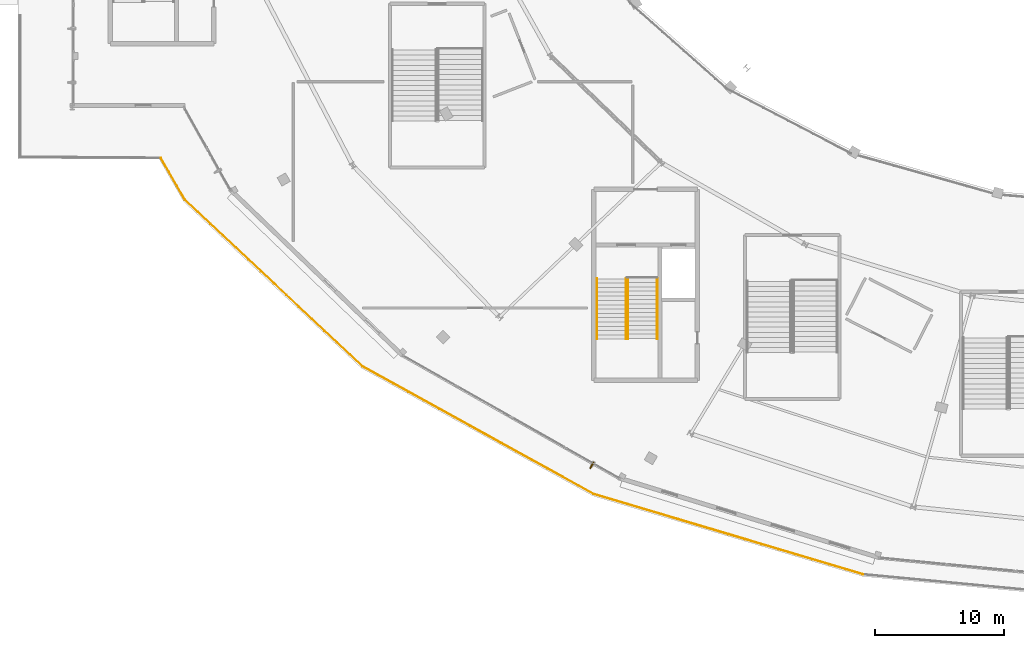
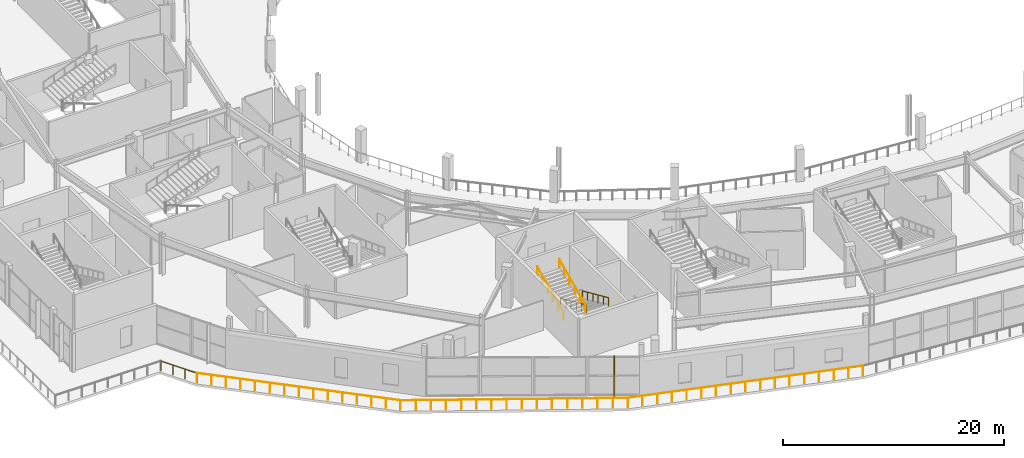
# One storey, part 101 of 123: 8 railings, 1 shading device.
"""IFC4 building model written with IfcOpenShell, lengths in metres."""

from ifc_helpers import new_model, si_unit, direction, frame, origin, origin_2d, place, context, subcontext, project, spatial, rectangle, circle, extrude, material, layer, layer_set, type_object, element, save


model = new_model("IFC4")

# Units and contexts
model_context = context("Model", 3, precision=1e-05, world=origin(), true_north=direction((0.0, 1.0)))
body_context = subcontext(model_context, "Body", "Model", "MODEL_VIEW")
ifc_project = project(units=[si_unit("LENGTHUNIT", "METRE"), si_unit("AREAUNIT", "SQUARE_METRE"), si_unit("VOLUMEUNIT", "CUBIC_METRE"), si_unit("PLANEANGLEUNIT", "RADIAN"), si_unit("MASSUNIT", "GRAM", prefix="KILO")], contexts=[model_context])

# Site, building, storey
site_placement = place(None, origin())
site = spatial("IfcSite", under=ifc_project, at=site_placement, CompositionType="ELEMENT")
building_placement = place(site_placement, origin())
building = spatial("IfcBuilding", under=site, at=building_placement, Name="Kalgoora Escarpment Arena", CompositionType="ELEMENT")
storey_placement = place(building_placement, frame((0.0, 0.0, 9.89990234375)))
storey = spatial("IfcBuildingStorey", under=building, at=storey_placement, Name="L02", CompositionType="ELEMENT", Elevation=9.89990234375)

# Railings
ifc_material_1 = material(Name="Brushed stainless steel 316 handrail", Category="steel")
railing_type_1 = type_object("IfcRailingType", Name="RAL-HAND-920", PredefinedType="HANDRAIL", material=ifc_material_1)
for number, where, name in (
    (1, (53.89990234375, 26.7099609375, 0.110107421875), "ST05 L02 pitched stair handrail F1L"),
    (2, (51.6201171875, 26.7099609375, 0.110107421875), "ST05 L02 pitched stair handrail F1R"),
):
    element("IfcRailing", number, at=place(storey_placement, frame(where)), inside=storey, type_object=railing_type_1, Name=name, PredefinedType="HANDRAIL", context=body_context, shape_type="SweptSolid", body=[
        extrude(circle(Radius=0.02392578125, at=origin_2d()), frame((0.0, 0.0, 0.89599609375), z_axis=(0.0, -0.913643874524, 0.406515523129), x_axis=(1.0, 0.0, 0.0)), (0.0, 0.0, 1.0), 5.166015625),
        extrude(circle(Radius=0.02099609375, at=origin_2d()), origin(), (0.0, 0.0, 1.0), 0.871826171875),
        extrude(circle(Radius=0.02099609375, at=origin_2d()), frame((0.0, -0.944091796875, 0.419921875)), (0.0, 0.0, 1.0), 0.871826171875),
        extrude(circle(Radius=0.02099609375, at=origin_2d()), frame((0.0, -1.887939453125, 0.840087890625)), (0.0, 0.0, 1.0), 0.871826171875),
        extrude(circle(Radius=0.02099609375, at=origin_2d()), frame((0.0, -2.83203125, 1.260009765625)), (0.0, 0.0, 1.0), 0.871826171875),
        extrude(circle(Radius=0.02099609375, at=origin_2d()), frame((0.0, -3.77587890625, 1.68017578125)), (0.0, 0.0, 1.0), 0.871826171875),
        extrude(circle(Radius=0.02099609375, at=origin_2d()), frame((0.0, -4.719970703125, 2.10009765625)), (0.0, 0.0, 1.0), 0.871826171875),
    ])
for number, where, name in (
    (3, (51.47998046875, 21.989990234375, 2.360107421875), "ST05 L02 pitched stair handrail F2L"),
    (4, (49.199951171875, 21.989990234375, 2.360107421875), "ST05 L02 pitched stair handrail F2R"),
):
    element("IfcRailing", number, at=place(storey_placement, frame(where)), inside=storey, type_object=railing_type_1, Name=name, PredefinedType="HANDRAIL", context=body_context, shape_type="SweptSolid", body=[
        extrude(circle(Radius=0.02392578125, at=origin_2d()), frame((0.0, 0.0, 0.89599609375), z_axis=(0.0, 0.913643874524, 0.406515523129), x_axis=(-1.0, 0.0, 0.0)), (0.0, 0.0, 1.0), 5.166015625),
        extrude(circle(Radius=0.02099609375, at=origin_2d()), origin(), (0.0, 0.0, 1.0), 0.871826171875),
        extrude(circle(Radius=0.02099609375, at=origin_2d()), frame((0.0, 0.944091796875, 0.419921875)), (0.0, 0.0, 1.0), 0.871826171875),
        extrude(circle(Radius=0.02099609375, at=origin_2d()), frame((0.0, 1.887939453125, 0.840087890625)), (0.0, 0.0, 1.0), 0.871826171875),
        extrude(circle(Radius=0.02099609375, at=origin_2d()), frame((0.0, 2.83203125, 1.260009765625)), (0.0, 0.0, 1.0), 0.871826171875),
        extrude(circle(Radius=0.02099609375, at=origin_2d()), frame((0.0, 3.77587890625, 1.68017578125)), (0.0, 0.0, 1.0), 0.871826171875),
        extrude(circle(Radius=0.02099609375, at=origin_2d()), frame((0.0, 4.719970703125, 2.10009765625)), (0.0, 0.0, 1.0), 0.871826171875),
    ])
ifc_material_2 = material(Name="Champagne anodised aluminium & laminated glass", Category="aluminium")
railing_type_2 = type_object("IfcRailingType", Name="RAL-TERR-1100", PredefinedType="GUARDRAIL", material=ifc_material_2)
railing_1_placement = place(storey_placement, frame((69.913330078125, 3.69091796875, 0.0)))
element("IfcRailing", 5, at=railing_1_placement, inside=storey, type_object=railing_type_2, Name="Middle Planted Elliptical Garden Promenade perimeter guardrail 001", PredefinedType="GUARDRAIL", context=body_context, shape_type="SweptSolid", body=[
    extrude(circle(Radius=0.02392578125, at=origin_2d()), frame((0.0, 0.0, 1.09619140625), z_axis=(-0.958340491261, 0.285628259823, 0.0), x_axis=(-0.285628259823, -0.958340491261, 0.0)), (0.0, 0.0, 1.0), 21.86181640625),
    extrude(circle(Radius=0.02099609375, at=origin_2d()), origin(), (0.0, 0.0, 1.0), 1.072021484375),
    extrude(circle(Radius=0.02099609375, at=origin_2d()), frame((-1.3095703125, 0.390380859375, 0.0)), (0.0, 0.0, 1.0), 1.072021484375),
    extrude(circle(Radius=0.02099609375, at=origin_2d()), frame((-2.618896484375, 0.780517578125, 0.0)), (0.0, 0.0, 1.0), 1.072021484375),
    extrude(circle(Radius=0.02099609375, at=origin_2d()), frame((-3.92822265625, 1.1708984375, 0.0)), (0.0, 0.0, 1.0), 1.072021484375),
    extrude(circle(Radius=0.02099609375, at=origin_2d()), frame((-5.23779296875, 1.56103515625, 0.0)), (0.0, 0.0, 1.0), 1.072021484375),
    extrude(circle(Radius=0.02099609375, at=origin_2d()), frame((-6.54736328125, 1.951416015625, 0.0)), (0.0, 0.0, 1.0), 1.072021484375),
    extrude(circle(Radius=0.02099609375, at=origin_2d()), frame((-7.856689453125, 2.341552734375, 0.0)), (0.0, 0.0, 1.0), 1.072021484375),
    extrude(circle(Radius=0.02099609375, at=origin_2d()), frame((-9.166015625, 2.73193359375, 0.0)), (0.0, 0.0, 1.0), 1.072021484375),
    extrude(circle(Radius=0.02099609375, at=origin_2d()), frame((-10.4755859375, 3.1220703125, 0.0)), (0.0, 0.0, 1.0), 1.072021484375),
    extrude(circle(Radius=0.02099609375, at=origin_2d()), frame((-11.78515625, 3.512451171875, 0.0)), (0.0, 0.0, 1.0), 1.072021484375),
    extrude(circle(Radius=0.02099609375, at=origin_2d()), frame((-13.094482421875, 3.90283203125, 0.0)), (0.0, 0.0, 1.0), 1.072021484375),
    extrude(circle(Radius=0.02099609375, at=origin_2d()), frame((-14.40380859375, 4.29296875, 0.0)), (0.0, 0.0, 1.0), 1.072021484375),
    extrude(circle(Radius=0.02099609375, at=origin_2d()), frame((-15.71337890625, 4.683349609375, 0.0)), (0.0, 0.0, 1.0), 1.072021484375),
    extrude(circle(Radius=0.02099609375, at=origin_2d()), frame((-17.02294921875, 5.073486328125, 0.0)), (0.0, 0.0, 1.0), 1.072021484375),
    extrude(circle(Radius=0.02099609375, at=origin_2d()), frame((-18.332275390625, 5.4638671875, 0.0)), (0.0, 0.0, 1.0), 1.072021484375),
    extrude(circle(Radius=0.02099609375, at=origin_2d()), frame((-19.6416015625, 5.85400390625, 0.0)), (0.0, 0.0, 1.0), 1.072021484375),
    extrude(circle(Radius=0.02099609375, at=origin_2d()), frame((-20.951171875, 6.244384765625, 0.0)), (0.0, 0.0, 1.0), 1.072021484375),
])
railing_2_placement = place(storey_placement, frame((48.962158203125, 9.935302734375, 0.0)))
element("IfcRailing", 6, at=railing_2_placement, inside=storey, type_object=railing_type_2, Name="Middle Planted Elliptical Garden Promenade perimeter guardrail 002", PredefinedType="GUARDRAIL", context=body_context, shape_type="SweptSolid", body=[
    extrude(circle(Radius=0.02392578125, at=origin_2d()), frame((0.0, 0.0, 1.09619140625), z_axis=(-0.875431707903, 0.483341830176, 0.0), x_axis=(-0.483341830176, -0.875431707903, 0.0)), (0.0, 0.0, 1.0), 20.544921875),
    extrude(circle(Radius=0.02099609375, at=origin_2d()), origin(), (0.0, 0.0, 1.0), 1.072021484375),
    extrude(circle(Radius=0.02099609375, at=origin_2d()), frame((-1.198974609375, 0.662109375, 0.0)), (0.0, 0.0, 1.0), 1.072021484375),
    extrude(circle(Radius=0.02099609375, at=origin_2d()), frame((-2.398193359375, 1.323974609375, 0.0)), (0.0, 0.0, 1.0), 1.072021484375),
    extrude(circle(Radius=0.02099609375, at=origin_2d()), frame((-3.59716796875, 1.986083984375, 0.0)), (0.0, 0.0, 1.0), 1.072021484375),
    extrude(circle(Radius=0.02099609375, at=origin_2d()), frame((-4.796142578125, 2.64794921875, 0.0)), (0.0, 0.0, 1.0), 1.072021484375),
    extrude(circle(Radius=0.02099609375, at=origin_2d()), frame((-5.9951171875, 3.31005859375, 0.0)), (0.0, 0.0, 1.0), 1.072021484375),
    extrude(circle(Radius=0.02099609375, at=origin_2d()), frame((-7.1943359375, 3.97216796875, 0.0)), (0.0, 0.0, 1.0), 1.072021484375),
    extrude(circle(Radius=0.02099609375, at=origin_2d()), frame((-8.393310546875, 4.634033203125, 0.0)), (0.0, 0.0, 1.0), 1.072021484375),
    extrude(circle(Radius=0.02099609375, at=origin_2d()), frame((-9.59228515625, 5.296142578125, 0.0)), (0.0, 0.0, 1.0), 1.072021484375),
    extrude(circle(Radius=0.02099609375, at=origin_2d()), frame((-10.791259765625, 5.9580078125, 0.0)), (0.0, 0.0, 1.0), 1.072021484375),
    extrude(circle(Radius=0.02099609375, at=origin_2d()), frame((-11.990478515625, 6.6201171875, 0.0)), (0.0, 0.0, 1.0), 1.072021484375),
    extrude(circle(Radius=0.02099609375, at=origin_2d()), frame((-13.189453125, 7.2822265625, 0.0)), (0.0, 0.0, 1.0), 1.072021484375),
    extrude(circle(Radius=0.02099609375, at=origin_2d()), frame((-14.388427734375, 7.944091796875, 0.0)), (0.0, 0.0, 1.0), 1.072021484375),
    extrude(circle(Radius=0.02099609375, at=origin_2d()), frame((-15.58740234375, 8.606201171875, 0.0)), (0.0, 0.0, 1.0), 1.072021484375),
    extrude(circle(Radius=0.02099609375, at=origin_2d()), frame((-16.78662109375, 9.26806640625, 0.0)), (0.0, 0.0, 1.0), 1.072021484375),
    extrude(circle(Radius=0.02099609375, at=origin_2d()), frame((-17.985595703125, 9.93017578125, 0.0)), (0.0, 0.0, 1.0), 1.072021484375),
])
railing_3_placement = place(storey_placement, frame((30.9765625, 19.865478515625, 0.0)))
element("IfcRailing", 7, at=railing_3_placement, inside=storey, type_object=railing_type_2, Name="Middle Planted Elliptical Garden Promenade perimeter guardrail 003", PredefinedType="GUARDRAIL", context=body_context, shape_type="SweptSolid", body=[
    extrude(circle(Radius=0.02392578125, at=origin_2d()), frame((0.0, 0.0, 1.09619140625), z_axis=(-0.729458285246, 0.684025299303, 0.0), x_axis=(-0.684025299303, -0.729458285246, 0.0)), (0.0, 0.0, 1.0), 18.909912109375),
    extrude(circle(Radius=0.02099609375, at=origin_2d()), origin(), (0.0, 0.0, 1.0), 1.072021484375),
    extrude(circle(Radius=0.02099609375, at=origin_2d()), frame((-0.9853515625, 0.923828125, 0.0)), (0.0, 0.0, 1.0), 1.072021484375),
    extrude(circle(Radius=0.02099609375, at=origin_2d()), frame((-1.970458984375, 1.847900390625, 0.0)), (0.0, 0.0, 1.0), 1.072021484375),
    extrude(circle(Radius=0.02099609375, at=origin_2d()), frame((-2.955810546875, 2.771728515625, 0.0)), (0.0, 0.0, 1.0), 1.072021484375),
    extrude(circle(Radius=0.02099609375, at=origin_2d()), frame((-3.941162109375, 3.695556640625, 0.0)), (0.0, 0.0, 1.0), 1.072021484375),
    extrude(circle(Radius=0.02099609375, at=origin_2d()), frame((-4.926513671875, 4.61962890625, 0.0)), (0.0, 0.0, 1.0), 1.072021484375),
    extrude(circle(Radius=0.02099609375, at=origin_2d()), frame((-5.91162109375, 5.54345703125, 0.0)), (0.0, 0.0, 1.0), 1.072021484375),
    extrude(circle(Radius=0.02099609375, at=origin_2d()), frame((-6.89697265625, 6.46728515625, 0.0)), (0.0, 0.0, 1.0), 1.072021484375),
    extrude(circle(Radius=0.02099609375, at=origin_2d()), frame((-7.88232421875, 7.391357421875, 0.0)), (0.0, 0.0, 1.0), 1.072021484375),
    extrude(circle(Radius=0.02099609375, at=origin_2d()), frame((-8.867431640625, 8.315185546875, 0.0)), (0.0, 0.0, 1.0), 1.072021484375),
    extrude(circle(Radius=0.02099609375, at=origin_2d()), frame((-9.852783203125, 9.2392578125, 0.0)), (0.0, 0.0, 1.0), 1.072021484375),
    extrude(circle(Radius=0.02099609375, at=origin_2d()), frame((-10.838134765625, 10.1630859375, 0.0)), (0.0, 0.0, 1.0), 1.072021484375),
    extrude(circle(Radius=0.02099609375, at=origin_2d()), frame((-11.823486328125, 11.0869140625, 0.0)), (0.0, 0.0, 1.0), 1.072021484375),
    extrude(circle(Radius=0.02099609375, at=origin_2d()), frame((-12.80859375, 12.010986328125, 0.0)), (0.0, 0.0, 1.0), 1.072021484375),
    extrude(circle(Radius=0.02099609375, at=origin_2d()), frame((-13.7939453125, 12.934814453125, 0.0)), (0.0, 0.0, 1.0), 1.072021484375),
])
railing_4_placement = place(storey_placement, frame((17.1826171875, 32.80029296875, 0.0)))
element("IfcRailing", 8, at=railing_4_placement, inside=storey, type_object=railing_type_2, Name="Middle Planted Elliptical Garden Promenade perimeter guardrail 004", PredefinedType="GUARDRAIL", context=body_context, shape_type="SweptSolid", body=[
    extrude(circle(Radius=0.02392578125, at=origin_2d()), frame((0.0, 0.0, 1.09619140625), z_axis=(-0.498860187602, 0.866682475435, 0.0), x_axis=(-0.866682475435, -0.498860187602, 0.0)), (0.0, 0.0, 1.0), 3.783935546875),
    extrude(circle(Radius=0.02099609375, at=origin_2d()), origin(), (0.0, 0.0, 1.0), 1.072021484375),
    extrude(circle(Radius=0.02099609375, at=origin_2d()), frame((-0.629150390625, 1.09326171875, 0.0)), (0.0, 0.0, 1.0), 1.072021484375),
    extrude(circle(Radius=0.02099609375, at=origin_2d()), frame((-1.258544921875, 2.186279296875, 0.0)), (0.0, 0.0, 1.0), 1.072021484375),
    extrude(circle(Radius=0.02099609375, at=origin_2d()), frame((-1.8876953125, 3.279541015625, 0.0)), (0.0, 0.0, 1.0), 1.072021484375),
])

# Shading device
ifc_material_3 = material(Name="Champagne anodised extruded aluminium", Category="aluminium")
ifc_layer = layer(ifc_material_3, 0.080078125)
ifc_layer_set = layer_set([ifc_layer], Name="SHD-FIN-CHAMP")
shading_device_type = type_object("IfcShadingDeviceType", Name="SHD-FIN-CHAMP", PredefinedType="USERDEFINED", material=ifc_layer_set)
shading_device_placement = place(storey_placement, frame((48.81884765625, 12.167236328125, 0.0), z_axis=(0.0, 0.0, 1.0), x_axis=(-0.493334724289, -0.869839554062, 0.0)))
element("IfcShadingDevice", 9, at=shading_device_placement, inside=storey, type_object=shading_device_type, Name="L02 champagne anodised solar fin 07", ObjectType="FIN", PredefinedType="USERDEFINED", context=body_context, shape_type="SweptSolid", body=[
    extrude(rectangle(XDim=0.56005859375, YDim=0.10009765625, at=origin_2d()), origin(), (0.0, 0.0, 1.0), 4.264892578125),
])

save(model, "model.ifc")
